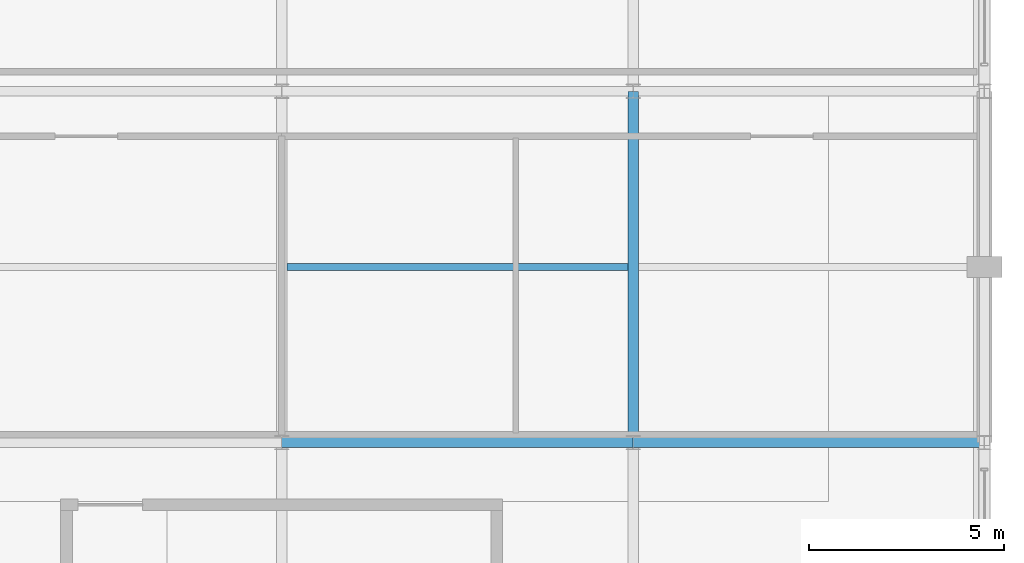
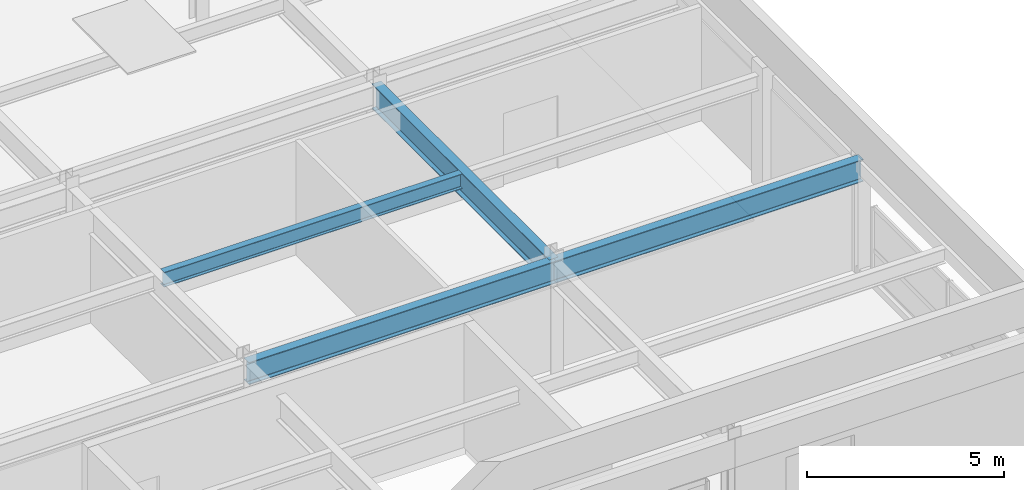
# One storey, part 53 of 108: 4 beams.
"""IFC4 building model written with IfcOpenShell, lengths in metres."""

import ifcopenshell
import ifcopenshell.guid

model = None  # the IFC model being written
_history = None  # IfcOwnerHistory: only IFC2X3 demands one
_inside = {}  # id of a spatial element -> (the spatial element, [elements in it])
_under = {}  # id of a project, library or spatial element -> (it, [spatial elements below it])
_declared = {}  # id of a project -> (the project, [libraries it declares])
_typed = {}  # id of a type object -> (the type object, [elements of that type])
_made_of = {}  # id of a material, layer set ... -> (it, [elements and type objects made of it])


def new_model(schema):
    """Start an empty IFC model of exactly this schema.

    Asked for "IFC4X3", IfcOpenShell would pick the latest addendum, in which some entities
    have other attributes; the version numbers below select the first issue.
    IFC2X3 requires an IfcOwnerHistory on every rooted entity: one is made here for all.
    """
    global model, _history
    if schema == "IFC4X3":
        model = ifcopenshell.file(schema_version=(4, 3, 0, 0))
    else:
        model = ifcopenshell.file(schema=schema)
    _inside.clear()
    _under.clear()
    _declared.clear()
    _typed.clear()
    _made_of.clear()
    _history = None
    if model.schema == "IFC2X3":
        org = make("IfcOrganization", Name="unknown")
        user = make(
            "IfcPersonAndOrganization",
            ThePerson=make("IfcPerson", FamilyName="unknown"),
            TheOrganization=org,
        )
        app = make(
            "IfcApplication",
            ApplicationDeveloper=org,
            Version="unknown",
            ApplicationFullName="unknown",
            ApplicationIdentifier="unknown",
        )
        _history = make(
            "IfcOwnerHistory",
            OwningUser=user,
            OwningApplication=app,
            ChangeAction="ADDED",
            CreationDate=0,
        )
    return model


def make(cls, **values):
    """One entity of the class cls with the attributes given. An attribute that is None is left unset."""
    return model.create_entity(
        cls, **{name: value for name, value in values.items() if value is not None}
    )


def rooted(cls, **values):
    """An entity with a GlobalId (a new one), such as an element, a storey or a relation."""
    return make(cls, GlobalId=ifcopenshell.guid.new(), OwnerHistory=_history, **values)


def si_unit(unit_type, name, prefix=None):
    """IfcSIUnit, for example si_unit("LENGTHUNIT", "METRE", prefix="MILLI")."""
    return make("IfcSIUnit", UnitType=unit_type, Prefix=prefix, Name=name)


def assignment(units):
    """IfcUnitAssignment: the units of a project."""
    return None if units is None else make("IfcUnitAssignment", Units=units)


def point(xyz):
    """IfcCartesianPoint."""
    return None if xyz is None else make("IfcCartesianPoint", Coordinates=xyz)


def direction(xyz):
    """IfcDirection."""
    return None if xyz is None else make("IfcDirection", DirectionRatios=xyz)


def frame(location, z_axis=None, x_axis=None):
    """IfcAxis2Placement3D, a coordinate frame: its origin and axes. An axis left out is left unset."""
    return make(
        "IfcAxis2Placement3D",
        Location=point(location),
        Axis=direction(z_axis),
        RefDirection=direction(x_axis),
    )


def frame_2d(location, x_axis=None):
    """IfcAxis2Placement2D, a coordinate frame in the plane: its origin and x axis."""
    return make(
        "IfcAxis2Placement2D", Location=point(location), RefDirection=direction(x_axis)
    )


def origin():
    """The frame at (0, 0, 0) with its axes left unset."""
    return frame((0.0, 0.0, 0.0))


def origin_2d():
    """The frame at (0, 0) in the plane with its x axis left unset."""
    return frame_2d((0.0, 0.0))


def place(relative_to, where):
    """IfcLocalPlacement: puts the frame where relative to a parent placement (None: the world)."""
    return make(
        "IfcLocalPlacement", PlacementRelTo=relative_to, RelativePlacement=where
    )


def context(
    kind, dimensions, precision=None, world=None, true_north=None, identifier=None
):
    """IfcGeometricRepresentationContext, for example the 3D "Model" context."""
    return make(
        "IfcGeometricRepresentationContext",
        ContextIdentifier=identifier,
        ContextType=kind,
        CoordinateSpaceDimension=dimensions,
        Precision=precision,
        WorldCoordinateSystem=world,
        TrueNorth=true_north,
    )


def subcontext(parent, identifier, kind, view, scale=None):
    """IfcGeometricRepresentationSubContext, for example "Body" below "Model"."""
    return make(
        "IfcGeometricRepresentationSubContext",
        ContextIdentifier=identifier,
        ContextType=kind,
        ParentContext=parent,
        TargetScale=scale,
        TargetView=view,
    )


def project(units=None, contexts=None):
    """IfcProject with its units and contexts."""
    return rooted(
        "IfcProject",
        Name="project",
        RepresentationContexts=contexts,
        UnitsInContext=assignment(units),
    )


def spatial(cls, under=None, at=None, **own):
    """A site, building, storey or space (cls), placed at a placement, below another one or the project."""
    s = rooted(cls, ObjectPlacement=at, **own)
    if under is not None:
        _under.setdefault(under.id(), (under, []))[1].append(s)
    return s


def profile(cls, at=None, kind="AREA", **sizes):
    """A parametric profile (cls). Its sizes go by their IFC names, for example OverallWidth=200.0."""
    return make(cls, ProfileType=kind, Position=at, **sizes)


def i_section(**sizes):
    """IfcIShapeProfileDef."""
    return profile("IfcIShapeProfileDef", **sizes)


def extrude(swept, where, along, depth):
    """IfcExtrudedAreaSolid: the profile swept, set in the frame where, extruded along a direction by depth."""
    return make(
        "IfcExtrudedAreaSolid",
        SweptArea=swept,
        Position=where,
        ExtrudedDirection=direction(along),
        Depth=depth,
    )


def shape(context_of_items, identifier, shape_type, items):
    """IfcShapeRepresentation: the items that make up one representation, for example the "Body"."""
    return make(
        "IfcShapeRepresentation",
        ContextOfItems=context_of_items,
        RepresentationIdentifier=identifier,
        RepresentationType=shape_type,
        Items=items,
    )


def material(Name=None, Category=None):
    """IfcMaterial."""
    return make("IfcMaterial", Name=Name, Category=Category)


def material_profile(
    of_material, cross_section, Name=None, Category=None, Priority=None
):
    """IfcMaterialProfile: a cross section and its material."""
    return make(
        "IfcMaterialProfile",
        Name=Name,
        Material=of_material,
        Profile=cross_section,
        Priority=Priority,
        Category=Category,
    )


def profile_set(profiles, Name=None, composite=None):
    """IfcMaterialProfileSet."""
    return make(
        "IfcMaterialProfileSet",
        Name=Name,
        MaterialProfiles=profiles,
        CompositeProfile=composite,
    )


def made_of(thing, what):
    """Note that an element or type object is made of a material, layer set ...; save() writes the relation."""
    if what is not None:
        _made_of.setdefault(what.id(), (what, []))[1].append(thing)
    return thing


def type_object(cls, material=None, **own):
    """A type object (cls), such as IfcWallType, which elements share."""
    return made_of(rooted(cls, **own), material)


def element(
    cls,
    number,
    at=None,
    inside=None,
    cuts=None,
    type_object=None,
    material=None,
    context=None,
    identifier="Body",
    shape_type=None,
    held_by="IfcProductDefinitionShape",
    body=None,
    shapes=None,
    **own,
):
    """One element of the class cls, such as IfcWall. Its Tag is "e" and its number.

    at: its placement. inside: the storey or other place that contains it. cuts: it is an
    opening in that element (IfcRelVoidsElement). A single representation is given by context,
    identifier, shape_type and body (its items); several are given by shapes. held_by: the class
    of the entity that holds the representations. save() writes the other relations.
    """
    e = rooted(cls, Tag="e%d" % number, ObjectPlacement=at, **own)
    if body is not None:
        shapes = [shape(context, identifier, shape_type, body)]
    if shapes is not None:
        e.Representation = make(held_by, Representations=shapes)
    if inside is not None:
        _inside.setdefault(inside.id(), (inside, []))[1].append(e)
    if cuts is not None:
        rooted(
            "IfcRelVoidsElement", RelatingBuildingElement=cuts, RelatedOpeningElement=e
        )
    if type_object is not None:
        _typed.setdefault(type_object.id(), (type_object, []))[1].append(e)
    return made_of(e, material)


def aggregate(whole, parts):
    """IfcRelAggregates: a whole, such as a stair, and the parts it consists of."""
    return rooted("IfcRelAggregates", RelatingObject=whole, RelatedObjects=parts)


def save(model, path):
    """Write the relations noted so far, then the file.

    IfcRelAggregates (storeys below a building ...), IfcRelContainedInSpatialStructure (elements
    in a storey), IfcRelDefinesByType, IfcRelAssociatesMaterial and IfcRelDeclares: one each for
    every whole, place, type object, material and project.
    """
    for whole, parts in _under.values():
        aggregate(whole, parts)
    for where, things in _inside.values():
        rooted(
            "IfcRelContainedInSpatialStructure",
            RelatedElements=things,
            RelatingStructure=where,
        )
    for kind, things in _typed.values():
        rooted("IfcRelDefinesByType", RelatedObjects=things, RelatingType=kind)
    for what, things in _made_of.values():
        rooted("IfcRelAssociatesMaterial", RelatedObjects=things, RelatingMaterial=what)
    for by, libraries in _declared.values():
        rooted("IfcRelDeclares", RelatingContext=by, RelatedDefinitions=libraries)
    model.write(path)


model = new_model("IFC4")

# Units and contexts
model_context = context("Model", 3, precision=1e-05, world=origin(), true_north=direction((0.0, 1.0)))
body_context = subcontext(model_context, "Body", "Model", "MODEL_VIEW")
ifc_project = project(units=[si_unit("LENGTHUNIT", "METRE"), si_unit("AREAUNIT", "SQUARE_METRE"), si_unit("VOLUMEUNIT", "CUBIC_METRE"), si_unit("PLANEANGLEUNIT", "RADIAN"), si_unit("MASSUNIT", "GRAM", prefix="KILO")], contexts=[model_context])

# Site, building, storey
site_placement = place(None, origin())
site = spatial("IfcSite", under=ifc_project, at=site_placement, CompositionType="ELEMENT")
building_placement = place(site_placement, origin())
building = spatial("IfcBuilding", under=site, at=building_placement, Name="Kaldorvane Square Convention Centre", CompositionType="ELEMENT")
storey_placement = place(building_placement, frame((0.0, 0.0, 23.399993896484375)))
storey = spatial("IfcBuildingStorey", under=building, at=storey_placement, Name="L04", CompositionType="ELEMENT", Elevation=23.399993896484375)

# Beams
ifc_material = material(Name="Steel ASTM A992 Gr. 50", Category="steel")
ifc_material_profile_1 = material_profile(ifc_material, i_section(OverallWidth=0.25439453125, OverallDepth=0.6880950927734375, WebThickness=0.0131072998046875, FlangeThickness=0.0211029052734375, FilletRadius=0.01519775390625, at=origin_2d()), Name="W27X102")
ifc_profile_set_1 = profile_set([ifc_material_profile_1], Name="Steel ASTM A992 Gr. 50")
beam_type_1 = type_object("IfcBeamType", Name="BM-GR-W27X102", PredefinedType="BEAM", material=ifc_profile_set_1)
for number, where, z_axis, x_axis, name in (
    (1, (156.0, 9.0, 3.1819000244140625), (1.0, 0.0, 0.0), (0.0, 1.0, 0.0), "Primary Girder (L04)"),
    (2, (165.0, 9.0, 3.1819000244140625), (1.0, 0.0, 0.0), (0.0, 1.0, 0.0), "Primary Girder (L04)"),
):
    element("IfcBeam", number, at=place(storey_placement, frame(where, z_axis=z_axis, x_axis=x_axis)), inside=storey, type_object=beam_type_1, Name=name, PredefinedType="BEAM", context=body_context, shape_type="SweptSolid", body=[
        extrude(i_section(OverallWidth=0.25439453125, OverallDepth=0.6880950927734375, WebThickness=0.0131072998046875, FlangeThickness=0.0211029052734375, FilletRadius=0.01519775390625, at=origin_2d()), origin(), (0.0, 0.0, 1.0), 9.0),
    ])
ifc_material_profile_2 = material_profile(ifc_material, i_section(OverallWidth=0.2666015625, OverallDepth=0.762298583984375, WebThickness=0.014404296875, FlangeThickness=0.0216064453125, FilletRadius=0.0164947509765625, at=origin_2d()), Name="W30X116")
ifc_profile_set_2 = profile_set([ifc_material_profile_2], Name="Steel ASTM A992 Gr. 50")
beam_type_2 = type_object("IfcBeamType", Name="BM-GR-W30X116", PredefinedType="BEAM", material=ifc_profile_set_2)
beam_1_placement = place(storey_placement, frame((165.0, 9.0, 3.144805908203125), z_axis=(0.0, 1.0, 0.0), x_axis=(-1.0, 0.0, 0.0)))
element("IfcBeam", 3, at=beam_1_placement, inside=storey, type_object=beam_type_2, Name="Transverse Girder (L04)", PredefinedType="BEAM", context=body_context, shape_type="SweptSolid", body=[
    extrude(i_section(OverallWidth=0.2666015625, OverallDepth=0.762298583984375, WebThickness=0.014404296875, FlangeThickness=0.0216064453125, FilletRadius=0.0164947509765625, at=origin_2d()), origin(), (0.0, 0.0, 1.0), 9.0),
])
ifc_material_profile_3 = material_profile(ifc_material, i_section(OverallWidth=0.1912994384765625, OverallDepth=0.4600067138671875, WebThickness=0.0099029541015625, FlangeThickness=0.0160064697265625, FilletRadius=0.01019287109375, at=origin_2d()), Name="W18X55")
ifc_profile_set_3 = profile_set([ifc_material_profile_3], Name="Steel ASTM A992 Gr. 50")
beam_type_3 = type_object("IfcBeamType", Name="BM-JS-W18X55", PredefinedType="JOIST", material=ifc_profile_set_3)
beam_2_placement = place(storey_placement, frame((156.13330078125, 13.5, 3.2960052490234375), z_axis=(1.0, 0.0, 0.0), x_axis=(0.0, 1.0, 0.0)))
element("IfcBeam", 4, at=beam_2_placement, inside=storey, type_object=beam_type_3, Name="Secondary Floor Joist (L04)", PredefinedType="JOIST", context=body_context, shape_type="SweptSolid", body=[
    extrude(i_section(OverallWidth=0.1912994384765625, OverallDepth=0.4600067138671875, WebThickness=0.0099029541015625, FlangeThickness=0.0160064697265625, FilletRadius=0.01019287109375, at=origin_2d()), origin(), (0.0, 0.0, 1.0), 8.7333984375),
])

save(model, "model.ifc")
